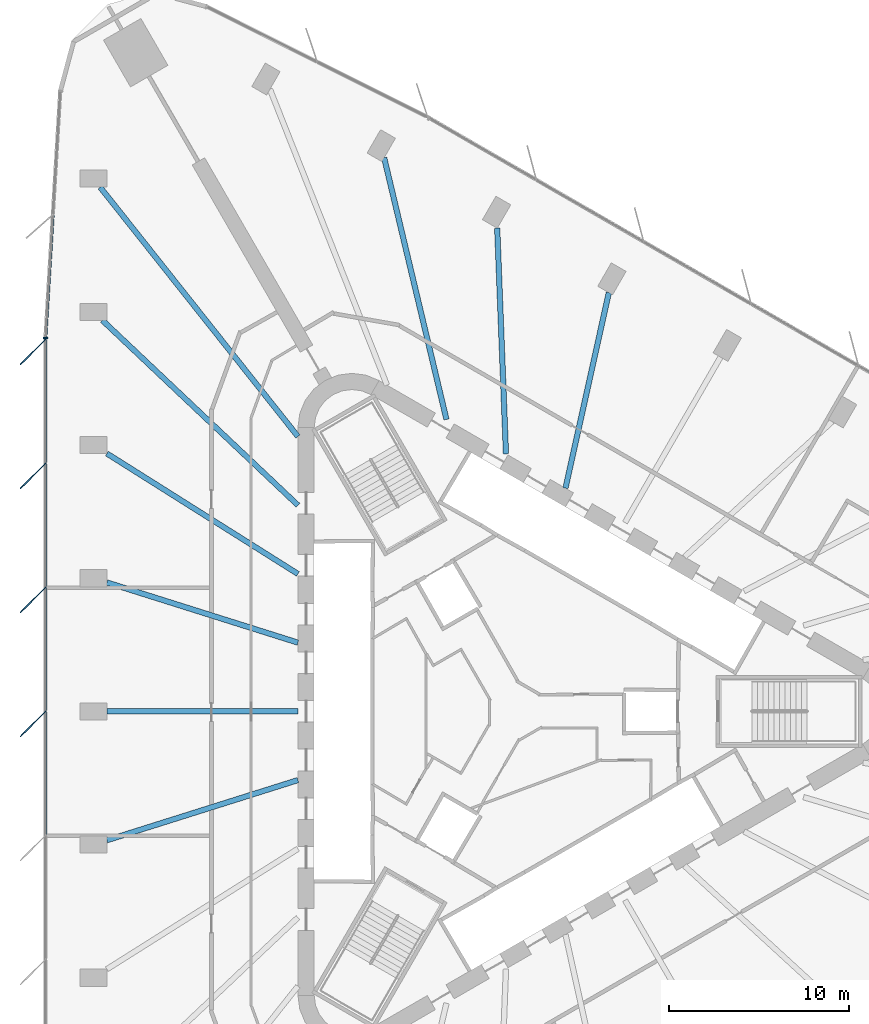
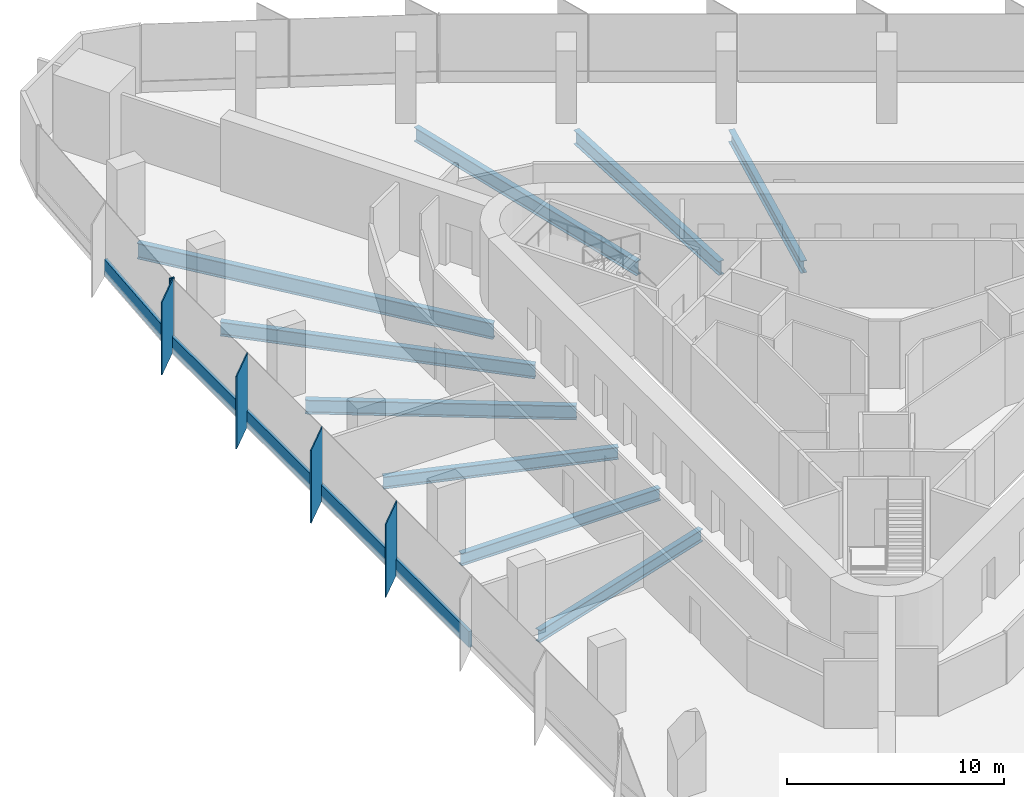
# One storey, part 4 of 14: 10 members, 9 beams, 2 elements without a shape of their own.
"""IFC4 building model written with IfcOpenShell, lengths in metres."""

from ifc_helpers import new_model, si_unit, direction, frame, origin, origin_2d, place, context, subcontext, project, spatial, rectangle, i_section, extrude, material, material_profile, profile_set, type_object, element, aggregate, save


model = new_model("IFC4")

# Units and contexts
model_context = context("Model", 3, precision=1e-05, world=origin(), true_north=direction((0.0, 1.0)))
body_context = subcontext(model_context, "Body", "Model", "MODEL_VIEW")
ifc_project = project(units=[si_unit("LENGTHUNIT", "METRE"), si_unit("AREAUNIT", "SQUARE_METRE"), si_unit("VOLUMEUNIT", "CUBIC_METRE"), si_unit("PLANEANGLEUNIT", "RADIAN"), si_unit("MASSUNIT", "GRAM", prefix="KILO")], contexts=[model_context])

# Site, building, storey
site_placement = place(None, origin())
site = spatial("IfcSite", under=ifc_project, at=site_placement, CompositionType="ELEMENT")
building_placement = place(site_placement, origin())
building = spatial("IfcBuilding", under=site, at=building_placement, Name="Tanit Gate Tower", CompositionType="ELEMENT")
storey_placement = place(building_placement, frame((0.0, 0.0, 53.699951171875)))
storey = spatial("IfcBuildingStorey", under=building, at=storey_placement, Name="L09", CompositionType="ELEMENT", Elevation=53.699951171875)

# Curtain wall, members
ifc_material_1 = material(Name="Aluminium bronze anodised and glass", Category="aluminium")
curtain_wall_type = type_object("IfcCurtainWallType", Name="Curtain wall typical low", PredefinedType="NOTDEFINED", material=ifc_material_1)
curtain_wall_1_placement = place(storey_placement, origin())
curtain_wall_1 = element("IfcCurtainWall", 1, at=curtain_wall_1_placement, inside=storey, type_object=curtain_wall_type, Name="Curtain wall L09 W2", PredefinedType="NOTDEFINED")
ifc_material_2 = material(Name="Aluminium bronze anodised", Category="aluminium")
ifc_material_profile_1 = material_profile(ifc_material_2, rectangle(XDim=2.0, YDim=0.055908203125, at=origin_2d()), Name="56x2000 bronze fin mullion")
ifc_profile_set_1 = profile_set([ifc_material_profile_1], Name="Aluminium bronze anodised")
member_type_1 = type_object("IfcMemberType", Name="FIN MULLION 56x2000 bronze", PredefinedType="MULLION", material=ifc_profile_set_1)
member_1_placement = place(storey_placement, frame((-26.80078125, 19.9541015625, -0.300048828125), z_axis=(0.0, 0.0, 1.0), x_axis=(0.707057749571, 0.707155809403, 0.0)))
member_1 = element("IfcMember", 2, at=member_1_placement, type_object=member_type_1, Name="Fin mullion L09 W2.1", PredefinedType="MULLION", context=body_context, shape_type="SweptSolid", body=[
    extrude(rectangle(XDim=2.0, YDim=0.055908203125, at=origin_2d()), origin(), (0.0, 0.0, 1.0), 4.10009765625),
])
member_2_placement = place(storey_placement, frame((-26.800537109375, 13.072265625, -0.300048828125), z_axis=(0.0, 0.0, 1.0), x_axis=(0.707057749571, 0.707155809403, 0.0)))
member_2 = element("IfcMember", 3, at=member_2_placement, type_object=member_type_1, Name="Fin mullion L09 W2.2", PredefinedType="MULLION", context=body_context, shape_type="SweptSolid", body=[
    extrude(rectangle(XDim=2.0, YDim=0.055908203125, at=origin_2d()), origin(), (0.0, 0.0, 1.0), 4.10009765625),
])
member_3_placement = place(storey_placement, frame((-26.800048828125, 6.190673828125, -0.300048828125), z_axis=(0.0, 0.0, 1.0), x_axis=(0.707057749571, 0.707155809403, 0.0)))
member_3 = element("IfcMember", 4, at=member_3_placement, type_object=member_type_1, Name="Fin mullion L09 W2.3", PredefinedType="MULLION", context=body_context, shape_type="SweptSolid", body=[
    extrude(rectangle(XDim=2.0, YDim=0.055908203125, at=origin_2d()), origin(), (0.0, 0.0, 1.0), 4.10009765625),
])
member_4_placement = place(storey_placement, frame((-26.799560546875, -0.691162109375, -0.300048828125), z_axis=(0.0, 0.0, 1.0), x_axis=(0.707057749571, 0.707155809403, 0.0)))
member_4 = element("IfcMember", 5, at=member_4_placement, type_object=member_type_1, Name="Fin mullion L09 W2.4", PredefinedType="MULLION", context=body_context, shape_type="SweptSolid", body=[
    extrude(rectangle(XDim=2.0, YDim=0.055908203125, at=origin_2d()), origin(), (0.0, 0.0, 1.0), 4.10009765625),
])

# Curtain wall, member
curtain_wall_2_placement = place(storey_placement, origin())
curtain_wall_2 = element("IfcCurtainWall", 6, at=curtain_wall_2_placement, inside=storey, type_object=curtain_wall_type, Name="Curtain wall L09 W1", PredefinedType="NOTDEFINED")
ifc_material_3 = material(Name="Aluminium bronze anodised", Category="aluminium")
ifc_material_profile_2 = material_profile(ifc_material_3, rectangle(XDim=0.239990234375, YDim=0.080078125, at=origin_2d()), Name="80x240 bronze mullion")
ifc_profile_set_2 = profile_set([ifc_material_profile_2], Name="Aluminium bronze anodised")
member_type_2 = type_object("IfcMemberType", Name="Mullion 80x240 typical low", PredefinedType="MULLION", material=ifc_profile_set_2)
member_5_placement = place(storey_placement, frame((-26.107421875, 20.72509765625, -0.300048828125), z_axis=(0.0, 0.0, 1.0), x_axis=(0.998209687351, -0.059811538009, 0.0)))
member_5 = element("IfcMember", 7, at=member_5_placement, type_object=member_type_2, Name="Mullion L09 W1.3", PredefinedType="MULLION", context=body_context, shape_type="SweptSolid", body=[
    extrude(rectangle(XDim=0.239990234375, YDim=0.080078125, at=origin_2d()), origin(), (0.0, 0.0, 1.0), 4.10009765625),
])

# Beams
ifc_material_4 = material(Name="Steel S355", Category="steel")
ifc_material_profile_3 = material_profile(ifc_material_4, i_section(OverallWidth=0.300048828125, OverallDepth=0.68994140625, WebThickness=0.014404296875, FlangeThickness=0.027099609375, FilletRadius=0.027099609375, at=origin_2d()), Name="HEA 700")
ifc_profile_set_3 = profile_set([ifc_material_profile_3], Name="Steel S355")
beam_type_1 = type_object("IfcBeamType", Name="RADIAL GIRDER HEA 700 S355", PredefinedType="BEAM", material=ifc_profile_set_3)
for number, where, z_axis, x_axis, name in (
    (8, (-22.703369140625, -7.155029296875, -0.64501953125), (0.953756118735, 0.300581546298, 0.0), (-0.300581546298, 0.953756118735, 0.0), "RADIAL GIRDER"),
    (9, (5.1552734375, 23.2392578125, -0.64501953125), (-0.216567644873, -0.976267614537, 0.0), (0.976267614537, -0.216567644873, 0.0), "RADIAL GIRDER"),
    (10, (-22.703369140625, 7.155029296875, -0.64501953125), (0.953756118735, -0.300581546298, 0.0), (0.300581546298, 0.953756118735, 0.0), "RADIAL GIRDER"),
):
    element("IfcBeam", number, at=place(storey_placement, frame(where, z_axis=z_axis, x_axis=x_axis)), inside=storey, type_object=beam_type_1, Name=name, PredefinedType="BEAM", context=body_context, shape_type="SweptSolid", body=[
        extrude(i_section(OverallWidth=0.300048828125, OverallDepth=0.68994140625, WebThickness=0.014404296875, FlangeThickness=0.027099609375, FilletRadius=0.027099609375, at=origin_2d()), origin(), (0.0, 0.0, 1.0), 11.115234375),
    ])
beam_1_placement = place(storey_placement, frame((-22.703369140625, 0.0, -0.64501953125), z_axis=(1.0, 0.0, 0.0), x_axis=(0.0, 1.0, 0.0)))
element("IfcBeam", 11, at=beam_1_placement, inside=storey, type_object=beam_type_1, Name="RADIAL GIRDER", PredefinedType="BEAM", context=body_context, shape_type="SweptSolid", body=[
    extrude(i_section(OverallWidth=0.300048828125, OverallDepth=0.68994140625, WebThickness=0.014404296875, FlangeThickness=0.027099609375, FilletRadius=0.027099609375, at=origin_2d()), origin(), (0.0, 0.0, 1.0), 10.601318359375),
])
ifc_material_5 = material(Name="Steel S355", Category="steel")
ifc_material_profile_4 = material_profile(ifc_material_5, i_section(OverallWidth=0.300048828125, OverallDepth=0.7900390625, WebThickness=0.014892578125, FlangeThickness=0.028076171875, FilletRadius=0.030029296875, at=origin_2d()), Name="HEA 800")
ifc_profile_set_4 = profile_set([ifc_material_profile_4], Name="Steel S355")
beam_type_2 = type_object("IfcBeamType", Name="RADIAL GIRDER HEA 800 S355", PredefinedType="BEAM", material=ifc_profile_set_4)
beam_2_placement = place(storey_placement, frame((-1.041259765625, 26.81689453125, -0.695068359375), z_axis=(0.038788513733, -0.99924744243, 0.0), x_axis=(0.99924744243, 0.038788513733, 0.0)))
element("IfcBeam", 12, at=beam_2_placement, inside=storey, type_object=beam_type_2, Name="RADIAL GIRDER", PredefinedType="BEAM", context=body_context, shape_type="SweptSolid", body=[
    extrude(i_section(OverallWidth=0.300048828125, OverallDepth=0.7900390625, WebThickness=0.014892578125, FlangeThickness=0.028076171875, FilletRadius=0.030029296875, at=origin_2d()), origin(), (0.0, 0.0, 1.0), 12.53173828125),
])
beam_3_placement = place(storey_placement, frame((-7.316650390625, 30.725830078125, -0.695068359375), z_axis=(0.231658845557, -0.972797090495, 0.0), x_axis=(0.972797090495, 0.231658845557, 0.0)))
element("IfcBeam", 13, at=beam_3_placement, inside=storey, type_object=beam_type_2, Name="RADIAL GIRDER", PredefinedType="BEAM", context=body_context, shape_type="SweptSolid", body=[
    extrude(i_section(OverallWidth=0.300048828125, OverallDepth=0.7900390625, WebThickness=0.014892578125, FlangeThickness=0.028076171875, FilletRadius=0.030029296875, at=origin_2d()), origin(), (0.0, 0.0, 1.0), 14.930419921875),
])
beam_4_placement = place(storey_placement, frame((-22.950927734375, 21.69921875, -0.695068359375), z_axis=(0.726639827007, -0.687018603683, 0.0), x_axis=(0.687018603683, 0.726639827007, 0.0)))
element("IfcBeam", 14, at=beam_4_placement, inside=storey, type_object=beam_type_2, Name="RADIAL GIRDER", PredefinedType="BEAM", context=body_context, shape_type="SweptSolid", body=[
    extrude(i_section(OverallWidth=0.300048828125, OverallDepth=0.7900390625, WebThickness=0.014892578125, FlangeThickness=0.028076171875, FilletRadius=0.030029296875, at=origin_2d()), origin(), (0.0, 0.0, 1.0), 14.93017578125),
])
beam_5_placement = place(storey_placement, frame((-22.703369140625, 14.310302734375, -0.695068359375), z_axis=(0.845964004255, -0.533240005537, 0.0), x_axis=(0.533240005537, 0.845964004255, 0.0)))
element("IfcBeam", 15, at=beam_5_placement, inside=storey, type_object=beam_type_2, Name="RADIAL GIRDER", PredefinedType="BEAM", context=body_context, shape_type="SweptSolid", body=[
    extrude(i_section(OverallWidth=0.300048828125, OverallDepth=0.7900390625, WebThickness=0.014892578125, FlangeThickness=0.028076171875, FilletRadius=0.030029296875, at=origin_2d()), origin(), (0.0, 0.0, 1.0), 12.53173828125),
])
ifc_material_6 = material(Name="Steel S355", Category="steel")
ifc_material_profile_5 = material_profile(ifc_material_6, i_section(OverallWidth=0.300048828125, OverallDepth=0.889892578125, WebThickness=0.01611328125, FlangeThickness=0.030029296875, FilletRadius=0.030029296875, at=origin_2d()), Name="HEA 900")
ifc_profile_set_5 = profile_set([ifc_material_profile_5], Name="Steel S355")
beam_type_3 = type_object("IfcBeamType", Name="RADIAL GIRDER HEA 900 S355", PredefinedType="BEAM", material=ifc_profile_set_5)
beam_6_placement = place(storey_placement, frame((-23.07666015625, 29.0908203125, -0.744873046875), z_axis=(0.621472845829, -0.783435703742, 0.0), x_axis=(0.783435703742, 0.621472845829, 0.0)))
element("IfcBeam", 16, at=beam_6_placement, inside=storey, type_object=beam_type_3, Name="RADIAL GIRDER", PredefinedType="BEAM", context=body_context, shape_type="SweptSolid", body=[
    extrude(i_section(OverallWidth=0.300048828125, OverallDepth=0.889892578125, WebThickness=0.01611328125, FlangeThickness=0.030029296875, FilletRadius=0.030029296875, at=origin_2d()), origin(), (0.0, 0.0, 1.0), 17.658935546875),
])

# Member
ifc_material_7 = material(Name="Aluminium bronze anodised", Category="aluminium")
ifc_material_profile_6 = material_profile(ifc_material_7, rectangle(XDim=0.159912109375, YDim=0.89990234375, at=origin_2d()), Name="160x900 bronze transom")
ifc_profile_set_6 = profile_set([ifc_material_profile_6], Name="Aluminium bronze anodised")
member_type_3 = type_object("IfcMemberType", Name="Transom 160x900 typical low", PredefinedType="USERDEFINED", material=ifc_profile_set_6)
member_6_placement = place(storey_placement, frame((-25.699462890625, 27.53369140625, 0.150146484375), z_axis=(-0.059804752776, -0.998210093891, 0.0), x_axis=(0.998210093891, -0.059804752776, 0.0)))
member_6 = element("IfcMember", 17, at=member_6_placement, type_object=member_type_3, Name="Transom L09 W1.2", ObjectType="TRANSOM", PredefinedType="USERDEFINED", context=body_context, shape_type="SweptSolid", body=[
    extrude(rectangle(XDim=0.159912109375, YDim=0.89990234375, at=origin_2d()), origin(), (0.0, 0.0, 1.0), 6.78076171875),
])

aggregate(curtain_wall_2, [member_5, member_6])

member_7_placement = place(storey_placement, frame((-26.10986328125, 20.605224609375, 0.150146484375), z_axis=(7.1787509e-05, -0.999999997423, 0.0), x_axis=(0.999999997423, 7.1787509e-05, 0.0)))
member_7 = element("IfcMember", 18, at=member_7_placement, type_object=member_type_3, Name="Transom L09 W2.1", ObjectType="TRANSOM", PredefinedType="USERDEFINED", context=body_context, shape_type="SweptSolid", body=[
    extrude(rectangle(XDim=0.159912109375, YDim=0.89990234375, at=origin_2d()), origin(), (0.0, 0.0, 1.0), 6.8017578125),
])

member_8_placement = place(storey_placement, frame((-26.109375, 13.723388671875, 0.150146484375), z_axis=(7.1790086e-05, -0.999999997423, 0.0), x_axis=(0.999999997423, 7.1790086e-05, 0.0)))
member_8 = element("IfcMember", 19, at=member_8_placement, type_object=member_type_3, Name="Transom L09 W2.2", ObjectType="TRANSOM", PredefinedType="USERDEFINED", context=body_context, shape_type="SweptSolid", body=[
    extrude(rectangle(XDim=0.159912109375, YDim=0.89990234375, at=origin_2d()), origin(), (0.0, 0.0, 1.0), 6.801513671875),
])

member_9_placement = place(storey_placement, frame((-26.10888671875, 6.841796875, 0.150146484375), z_axis=(7.1787509e-05, -0.999999997423, 0.0), x_axis=(0.999999997423, 7.1787509e-05, 0.0)))
member_9 = element("IfcMember", 20, at=member_9_placement, type_object=member_type_3, Name="Transom L09 W2.3", ObjectType="TRANSOM", PredefinedType="USERDEFINED", context=body_context, shape_type="SweptSolid", body=[
    extrude(rectangle(XDim=0.159912109375, YDim=0.89990234375, at=origin_2d()), origin(), (0.0, 0.0, 1.0), 6.8017578125),
])

member_10_placement = place(storey_placement, frame((-26.1083984375, -0.0400390625, 0.150146484375), z_axis=(7.1787509e-05, -0.999999997423, 0.0), x_axis=(0.999999997423, 7.1787509e-05, 0.0)))
member_10 = element("IfcMember", 21, at=member_10_placement, type_object=member_type_3, Name="Transom L09 W2.4", ObjectType="TRANSOM", PredefinedType="USERDEFINED", context=body_context, shape_type="SweptSolid", body=[
    extrude(rectangle(XDim=0.159912109375, YDim=0.89990234375, at=origin_2d()), origin(), (0.0, 0.0, 1.0), 6.8017578125),
])

aggregate(curtain_wall_1, [member_1, member_2, member_3, member_4, member_7, member_8, member_9, member_10])

save(model, "model.ifc")
